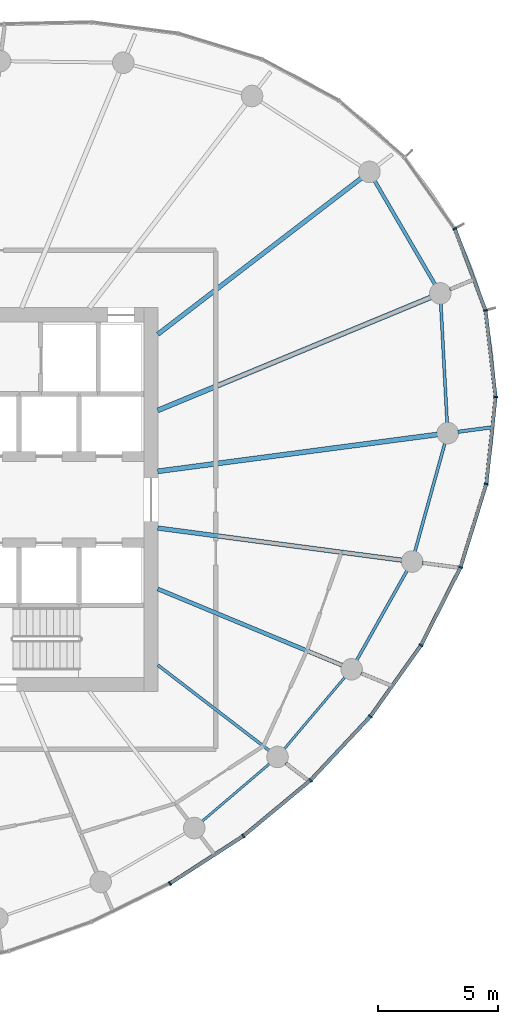
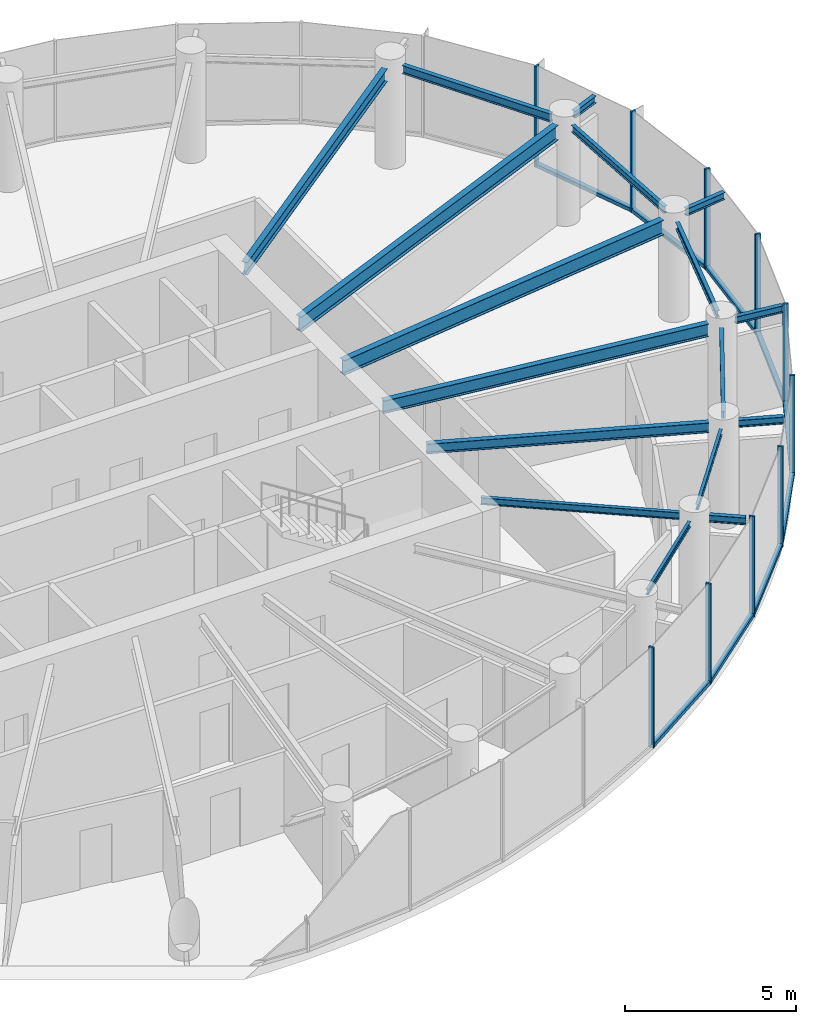
# One storey, part 5 of 13: 19 members, 17 beams, 3 elements without a shape of their own.
"""IFC4 building model written with IfcOpenShell, lengths in metres."""

import ifcopenshell
import ifcopenshell.guid

model = None  # the IFC model being written
_history = None  # IfcOwnerHistory: only IFC2X3 demands one
_inside = {}  # id of a spatial element -> (the spatial element, [elements in it])
_under = {}  # id of a project, library or spatial element -> (it, [spatial elements below it])
_declared = {}  # id of a project -> (the project, [libraries it declares])
_typed = {}  # id of a type object -> (the type object, [elements of that type])
_made_of = {}  # id of a material, layer set ... -> (it, [elements and type objects made of it])


def new_model(schema):
    """Start an empty IFC model of exactly this schema.

    Asked for "IFC4X3", IfcOpenShell would pick the latest addendum, in which some entities
    have other attributes; the version numbers below select the first issue.
    IFC2X3 requires an IfcOwnerHistory on every rooted entity: one is made here for all.
    """
    global model, _history
    if schema == "IFC4X3":
        model = ifcopenshell.file(schema_version=(4, 3, 0, 0))
    else:
        model = ifcopenshell.file(schema=schema)
    _inside.clear()
    _under.clear()
    _declared.clear()
    _typed.clear()
    _made_of.clear()
    _history = None
    if model.schema == "IFC2X3":
        org = make("IfcOrganization", Name="unknown")
        user = make(
            "IfcPersonAndOrganization",
            ThePerson=make("IfcPerson", FamilyName="unknown"),
            TheOrganization=org,
        )
        app = make(
            "IfcApplication",
            ApplicationDeveloper=org,
            Version="unknown",
            ApplicationFullName="unknown",
            ApplicationIdentifier="unknown",
        )
        _history = make(
            "IfcOwnerHistory",
            OwningUser=user,
            OwningApplication=app,
            ChangeAction="ADDED",
            CreationDate=0,
        )
    return model


def make(cls, **values):
    """One entity of the class cls with the attributes given. An attribute that is None is left unset."""
    return model.create_entity(
        cls, **{name: value for name, value in values.items() if value is not None}
    )


def rooted(cls, **values):
    """An entity with a GlobalId (a new one), such as an element, a storey or a relation."""
    return make(cls, GlobalId=ifcopenshell.guid.new(), OwnerHistory=_history, **values)


def si_unit(unit_type, name, prefix=None):
    """IfcSIUnit, for example si_unit("LENGTHUNIT", "METRE", prefix="MILLI")."""
    return make("IfcSIUnit", UnitType=unit_type, Prefix=prefix, Name=name)


def assignment(units):
    """IfcUnitAssignment: the units of a project."""
    return None if units is None else make("IfcUnitAssignment", Units=units)


def point(xyz):
    """IfcCartesianPoint."""
    return None if xyz is None else make("IfcCartesianPoint", Coordinates=xyz)


def direction(xyz):
    """IfcDirection."""
    return None if xyz is None else make("IfcDirection", DirectionRatios=xyz)


def frame(location, z_axis=None, x_axis=None):
    """IfcAxis2Placement3D, a coordinate frame: its origin and axes. An axis left out is left unset."""
    return make(
        "IfcAxis2Placement3D",
        Location=point(location),
        Axis=direction(z_axis),
        RefDirection=direction(x_axis),
    )


def frame_2d(location, x_axis=None):
    """IfcAxis2Placement2D, a coordinate frame in the plane: its origin and x axis."""
    return make(
        "IfcAxis2Placement2D", Location=point(location), RefDirection=direction(x_axis)
    )


def origin():
    """The frame at (0, 0, 0) with its axes left unset."""
    return frame((0.0, 0.0, 0.0))


def origin_2d():
    """The frame at (0, 0) in the plane with its x axis left unset."""
    return frame_2d((0.0, 0.0))


def place(relative_to, where):
    """IfcLocalPlacement: puts the frame where relative to a parent placement (None: the world)."""
    return make(
        "IfcLocalPlacement", PlacementRelTo=relative_to, RelativePlacement=where
    )


def context(
    kind, dimensions, precision=None, world=None, true_north=None, identifier=None
):
    """IfcGeometricRepresentationContext, for example the 3D "Model" context."""
    return make(
        "IfcGeometricRepresentationContext",
        ContextIdentifier=identifier,
        ContextType=kind,
        CoordinateSpaceDimension=dimensions,
        Precision=precision,
        WorldCoordinateSystem=world,
        TrueNorth=true_north,
    )


def subcontext(parent, identifier, kind, view, scale=None):
    """IfcGeometricRepresentationSubContext, for example "Body" below "Model"."""
    return make(
        "IfcGeometricRepresentationSubContext",
        ContextIdentifier=identifier,
        ContextType=kind,
        ParentContext=parent,
        TargetScale=scale,
        TargetView=view,
    )


def project(units=None, contexts=None):
    """IfcProject with its units and contexts."""
    return rooted(
        "IfcProject",
        Name="project",
        RepresentationContexts=contexts,
        UnitsInContext=assignment(units),
    )


def spatial(cls, under=None, at=None, **own):
    """A site, building, storey or space (cls), placed at a placement, below another one or the project."""
    s = rooted(cls, ObjectPlacement=at, **own)
    if under is not None:
        _under.setdefault(under.id(), (under, []))[1].append(s)
    return s


def profile(cls, at=None, kind="AREA", **sizes):
    """A parametric profile (cls). Its sizes go by their IFC names, for example OverallWidth=200.0."""
    return make(cls, ProfileType=kind, Position=at, **sizes)


def rectangle(**sizes):
    """IfcRectangleProfileDef."""
    return profile("IfcRectangleProfileDef", **sizes)


def i_section(**sizes):
    """IfcIShapeProfileDef."""
    return profile("IfcIShapeProfileDef", **sizes)


def extrude(swept, where, along, depth):
    """IfcExtrudedAreaSolid: the profile swept, set in the frame where, extruded along a direction by depth."""
    return make(
        "IfcExtrudedAreaSolid",
        SweptArea=swept,
        Position=where,
        ExtrudedDirection=direction(along),
        Depth=depth,
    )


def shape(context_of_items, identifier, shape_type, items):
    """IfcShapeRepresentation: the items that make up one representation, for example the "Body"."""
    return make(
        "IfcShapeRepresentation",
        ContextOfItems=context_of_items,
        RepresentationIdentifier=identifier,
        RepresentationType=shape_type,
        Items=items,
    )


def source(mapping_origin, context_of_items, identifier, shape_type, items):
    """IfcRepresentationMap: a shape defined once, which mapped items show again and again."""
    return make(
        "IfcRepresentationMap",
        MappingOrigin=mapping_origin,
        MappedRepresentation=shape(context_of_items, identifier, shape_type, items),
    )


def transform(
    local_origin,
    x_axis=None,
    y_axis=None,
    z_axis=None,
    scale=None,
    scale2=None,
    scale3=None,
    uniform=True,
):
    """IfcCartesianTransformationOperator3D, or its non-uniform kind. x_axis, y_axis, z_axis: its Axis1, 2, 3."""
    if uniform:
        return make(
            "IfcCartesianTransformationOperator3D",
            Axis1=direction(x_axis),
            Axis2=direction(y_axis),
            LocalOrigin=point(local_origin),
            Scale=scale,
            Axis3=direction(z_axis),
        )
    return make(
        "IfcCartesianTransformationOperator3DnonUniform",
        Axis1=direction(x_axis),
        Axis2=direction(y_axis),
        LocalOrigin=point(local_origin),
        Scale=scale,
        Axis3=direction(z_axis),
        Scale2=scale2,
        Scale3=scale3,
    )


def mapped(mapping_source, mapping_target):
    """IfcMappedItem: shows the shape of a source again, moved by a transform."""
    return make(
        "IfcMappedItem", MappingSource=mapping_source, MappingTarget=mapping_target
    )


def material(Name=None, Category=None):
    """IfcMaterial."""
    return make("IfcMaterial", Name=Name, Category=Category)


def layer(
    of_material, thickness, ventilated=None, Name=None, Category=None, Priority=None
):
    """IfcMaterialLayer: one layer of a wall or slab, of a material (None: an air gap)."""
    return make(
        "IfcMaterialLayer",
        Material=of_material,
        LayerThickness=thickness,
        IsVentilated=ventilated,
        Name=Name,
        Category=Category,
        Priority=Priority,
    )


def layer_set(layers, Name=None):
    """IfcMaterialLayerSet."""
    return make("IfcMaterialLayerSet", MaterialLayers=layers, LayerSetName=Name)


def material_profile(
    of_material, cross_section, Name=None, Category=None, Priority=None
):
    """IfcMaterialProfile: a cross section and its material."""
    return make(
        "IfcMaterialProfile",
        Name=Name,
        Material=of_material,
        Profile=cross_section,
        Priority=Priority,
        Category=Category,
    )


def profile_set(profiles, Name=None, composite=None):
    """IfcMaterialProfileSet."""
    return make(
        "IfcMaterialProfileSet",
        Name=Name,
        MaterialProfiles=profiles,
        CompositeProfile=composite,
    )


def made_of(thing, what):
    """Note that an element or type object is made of a material, layer set ...; save() writes the relation."""
    if what is not None:
        _made_of.setdefault(what.id(), (what, []))[1].append(thing)
    return thing


def type_object(cls, material=None, **own):
    """A type object (cls), such as IfcWallType, which elements share."""
    return made_of(rooted(cls, **own), material)


def element(
    cls,
    number,
    at=None,
    inside=None,
    cuts=None,
    type_object=None,
    material=None,
    context=None,
    identifier="Body",
    shape_type=None,
    held_by="IfcProductDefinitionShape",
    body=None,
    shapes=None,
    **own,
):
    """One element of the class cls, such as IfcWall. Its Tag is "e" and its number.

    at: its placement. inside: the storey or other place that contains it. cuts: it is an
    opening in that element (IfcRelVoidsElement). A single representation is given by context,
    identifier, shape_type and body (its items); several are given by shapes. held_by: the class
    of the entity that holds the representations. save() writes the other relations.
    """
    e = rooted(cls, Tag="e%d" % number, ObjectPlacement=at, **own)
    if body is not None:
        shapes = [shape(context, identifier, shape_type, body)]
    if shapes is not None:
        e.Representation = make(held_by, Representations=shapes)
    if inside is not None:
        _inside.setdefault(inside.id(), (inside, []))[1].append(e)
    if cuts is not None:
        rooted(
            "IfcRelVoidsElement", RelatingBuildingElement=cuts, RelatedOpeningElement=e
        )
    if type_object is not None:
        _typed.setdefault(type_object.id(), (type_object, []))[1].append(e)
    return made_of(e, material)


def aggregate(whole, parts):
    """IfcRelAggregates: a whole, such as a stair, and the parts it consists of."""
    return rooted("IfcRelAggregates", RelatingObject=whole, RelatedObjects=parts)


def save(model, path):
    """Write the relations noted so far, then the file.

    IfcRelAggregates (storeys below a building ...), IfcRelContainedInSpatialStructure (elements
    in a storey), IfcRelDefinesByType, IfcRelAssociatesMaterial and IfcRelDeclares: one each for
    every whole, place, type object, material and project.
    """
    for whole, parts in _under.values():
        aggregate(whole, parts)
    for where, things in _inside.values():
        rooted(
            "IfcRelContainedInSpatialStructure",
            RelatedElements=things,
            RelatingStructure=where,
        )
    for kind, things in _typed.values():
        rooted("IfcRelDefinesByType", RelatedObjects=things, RelatingType=kind)
    for what, things in _made_of.values():
        rooted("IfcRelAssociatesMaterial", RelatedObjects=things, RelatingMaterial=what)
    for by, libraries in _declared.values():
        rooted("IfcRelDeclares", RelatingContext=by, RelatedDefinitions=libraries)
    model.write(path)


model = new_model("IFC4")

# Units and contexts
model_context = context("Model", 3, precision=1e-05, world=origin(), true_north=direction((0.0, 1.0)))
body_context = subcontext(model_context, "Body", "Model", "MODEL_VIEW")
ifc_project = project(units=[si_unit("LENGTHUNIT", "METRE"), si_unit("AREAUNIT", "SQUARE_METRE"), si_unit("VOLUMEUNIT", "CUBIC_METRE"), si_unit("PLANEANGLEUNIT", "RADIAN"), si_unit("MASSUNIT", "GRAM", prefix="KILO")], contexts=[model_context])

# Site, building, storey
site_placement = place(None, origin())
site = spatial("IfcSite", under=ifc_project, at=site_placement, CompositionType="ELEMENT")
building_placement = place(site_placement, origin())
building = spatial("IfcBuilding", under=site, at=building_placement, Name="Spindrift Exchange Tower", CompositionType="ELEMENT")
storey_placement = place(building_placement, frame((0.0, 0.0, 222.800048828125)))
storey = spatial("IfcBuildingStorey", under=building, at=storey_placement, Name="L54", CompositionType="ELEMENT", Elevation=222.800048828125)

# Beams
ifc_material_1 = material(Name="Steel Grade 300", Category="steel")
ifc_material_profile_1 = material_profile(ifc_material_1, i_section(OverallWidth=0.14599609375, OverallDepth=0.251953125, WebThickness=0.006103515625, FlangeThickness=0.008544921875, FilletRadius=0.011962890625, at=origin_2d()), Name="250UB31.4")
ifc_profile_set_1 = profile_set([ifc_material_profile_1], Name="Steel Grade 300")
beam_type_1 = type_object("IfcBeamType", Name="Cantilever Beam 250UB31.4 Steel Grade 300", PredefinedType="BEAM", material=ifc_profile_set_1)
shared_shape_1 = source(origin(), body_context, "Body", "SweptSolid", [
    extrude(i_section(OverallWidth=0.14599609375, OverallDepth=0.251953125, WebThickness=0.006103515625, FlangeThickness=0.008544921875, FilletRadius=0.011962890625, at=origin_2d()), origin(), (0.0, 0.0, 1.0), 0.99267578125),
])
beam_1_placement = place(storey_placement, frame((73.150390625, 56.7607421875, 3.453857421875), z_axis=(0.923860933472, 0.382728331332, 0.0), x_axis=(-0.382728331332, 0.923860933472, 0.0)))
element("IfcBeam", 1, at=beam_1_placement, inside=storey, type_object=beam_type_1, Name="L54 cantilever beam R02T", PredefinedType="BEAM", context=body_context, shape_type="MappedRepresentation", body=[
    mapped(shared_shape_1, transform((0.0, 0.0, 0.0), scale=1.0)),
])
ifc_material_profile_2 = material_profile(ifc_material_1, i_section(OverallWidth=0.208984375, OverallDepth=0.528076171875, WebThickness=0.009521484375, FlangeThickness=0.01318359375, FilletRadius=0.013916015625, at=origin_2d()), Name="530UB82.0")
ifc_profile_set_2 = profile_set([ifc_material_profile_2], Name="Steel Grade 300")
beam_type_2 = type_object("IfcBeamType", Name="Floor Beam 530UB82.0 Steel Grade 300", PredefinedType="BEAM", material=ifc_profile_set_2)
shared_shape_2 = source(origin(), body_context, "Body", "SweptSolid", [
    extrude(i_section(OverallWidth=0.208984375, OverallDepth=0.528076171875, WebThickness=0.009521484375, FlangeThickness=0.01318359375, FilletRadius=0.013916015625, at=origin_2d()), origin(), (0.0, 0.0, 1.0), 11.75634765625),
])
beam_2_placement = place(storey_placement, frame((60.980224609375, 49.182373046875, 3.31591796875), z_axis=(0.991445811455, 0.13051897543, 0.0), x_axis=(-0.13051897543, 0.991445811455, 0.0)))
element("IfcBeam", 2, at=beam_2_placement, inside=storey, type_object=beam_type_2, Name="L54 radial beam R01A", PredefinedType="BEAM", context=body_context, shape_type="MappedRepresentation", body=[
    mapped(shared_shape_2, transform((0.0, 0.0, 0.0), scale=1.0)),
])
shared_shape_3 = source(origin(), body_context, "Body", "SweptSolid", [
    extrude(i_section(OverallWidth=0.208984375, OverallDepth=0.528076171875, WebThickness=0.009521484375, FlangeThickness=0.01318359375, FilletRadius=0.013916015625, at=origin_2d()), origin(), (0.0, 0.0, 1.0), 12.3115234375),
])
beam_3_placement = place(storey_placement, frame((60.9814453125, 51.72021484375, 3.31591796875), z_axis=(0.923878099838, 0.382686891126, 0.0), x_axis=(-0.382686891126, 0.923878099838, 0.0)))
element("IfcBeam", 3, at=beam_3_placement, inside=storey, type_object=beam_type_2, Name="L54 radial beam R02A", PredefinedType="BEAM", context=body_context, shape_type="MappedRepresentation", body=[
    mapped(shared_shape_3, transform((0.0, 0.0, 0.0), scale=1.0)),
])
ifc_material_profile_3 = material_profile(ifc_material_1, i_section(OverallWidth=0.18994140625, OverallDepth=0.4541015625, WebThickness=0.008544921875, FlangeThickness=0.0126953125, FilletRadius=0.013916015625, at=origin_2d()), Name="460UB67.1")
ifc_profile_set_3 = profile_set([ifc_material_profile_3], Name="Steel Grade 300")
beam_type_3 = type_object("IfcBeamType", Name="Floor Beam 460UB67.1 Steel Grade 300", PredefinedType="BEAM", material=ifc_profile_set_3)
shared_shape_4 = source(origin(), body_context, "Body", "SweptSolid", [
    extrude(i_section(OverallWidth=0.18994140625, OverallDepth=0.4541015625, WebThickness=0.008544921875, FlangeThickness=0.0126953125, FilletRadius=0.013916015625, at=origin_2d()), origin(), (0.0, 0.0, 1.0), 10.684814453125),
])
beam_4_placement = place(storey_placement, frame((60.984130859375, 54.893798828125, 3.35302734375), z_axis=(0.793357316898, 0.608756246559, 0.0), x_axis=(-0.608756246559, 0.793357316898, 0.0)))
element("IfcBeam", 4, at=beam_4_placement, inside=storey, type_object=beam_type_3, Name="L54 radial beam R03A", PredefinedType="BEAM", context=body_context, shape_type="MappedRepresentation", body=[
    mapped(shared_shape_4, transform((0.0, 0.0, 0.0), scale=1.0)),
])
ifc_material_profile_4 = material_profile(ifc_material_1, i_section(OverallWidth=0.1240234375, OverallDepth=0.248046875, WebThickness=0.0048828125, FlangeThickness=0.008056640625, FilletRadius=0.011962890625, at=origin_2d()), Name="250UB25.7")
ifc_profile_set_4 = profile_set([ifc_material_profile_4], Name="Steel Grade 300")
beam_type_4 = type_object("IfcBeamType", Name="Floor Beam 250UB25.7 Steel Grade 300", PredefinedType="BEAM", material=ifc_profile_set_4)
shared_shape_5 = source(origin(), body_context, "Body", "SweptSolid", [
    extrude(i_section(OverallWidth=0.1240234375, OverallDepth=0.248046875, WebThickness=0.0048828125, FlangeThickness=0.008056640625, FilletRadius=0.011962890625, at=origin_2d()), origin(), (0.0, 0.0, 1.0), 5.855712890625),
])
beam_5_placement = place(storey_placement, frame((60.984130859375, 41.106201171875, 3.4560546875), z_axis=(0.793362708479, -0.608749219954, 0.0), x_axis=(0.608749219954, 0.793362708479, 0.0)))
element("IfcBeam", 5, at=beam_5_placement, inside=storey, type_object=beam_type_4, Name="L54 radial beam R22A", PredefinedType="BEAM", context=body_context, shape_type="MappedRepresentation", body=[
    mapped(shared_shape_5, transform((0.0, 0.0, 0.0), scale=1.0)),
])
ifc_material_profile_5 = material_profile(ifc_material_1, i_section(OverallWidth=0.1708984375, OverallDepth=0.35205078125, WebThickness=0.0068359375, FlangeThickness=0.009765625, FilletRadius=0.013916015625, at=origin_2d()), Name="360UB44.7")
ifc_profile_set_5 = profile_set([ifc_material_profile_5], Name="Steel Grade 300")
beam_type_5 = type_object("IfcBeamType", Name="Floor Beam 360UB44.7 Steel Grade 300", PredefinedType="BEAM", material=ifc_profile_set_5)
shared_shape_6 = source(origin(), body_context, "Body", "SweptSolid", [
    extrude(i_section(OverallWidth=0.1708984375, OverallDepth=0.35205078125, WebThickness=0.0068359375, FlangeThickness=0.009765625, FilletRadius=0.013916015625, at=origin_2d()), origin(), (0.0, 0.0, 1.0), 8.3134765625),
])
beam_6_placement = place(storey_placement, frame((60.9814453125, 44.27978515625, 3.404052734375), z_axis=(0.923881179957, -0.382679455055, 0.0), x_axis=(0.382679455055, 0.923881179957, 0.0)))
element("IfcBeam", 6, at=beam_6_placement, inside=storey, type_object=beam_type_5, Name="L54 radial beam R23A", PredefinedType="BEAM", context=body_context, shape_type="MappedRepresentation", body=[
    mapped(shared_shape_6, transform((0.0, 0.0, 0.0), scale=1.0)),
])
shared_shape_7 = source(origin(), body_context, "Body", "SweptSolid", [
    extrude(i_section(OverallWidth=0.18994140625, OverallDepth=0.4541015625, WebThickness=0.008544921875, FlangeThickness=0.0126953125, FilletRadius=0.013916015625, at=origin_2d()), origin(), (0.0, 0.0, 1.0), 10.262451171875),
])
beam_7_placement = place(storey_placement, frame((60.980224609375, 46.817626953125, 3.35302734375), z_axis=(0.991446763371, -0.130511744304, 0.0), x_axis=(0.130511744304, 0.991446763371, 0.0)))
element("IfcBeam", 7, at=beam_7_placement, inside=storey, type_object=beam_type_3, Name="L54 radial beam R24A", PredefinedType="BEAM", context=body_context, shape_type="MappedRepresentation", body=[
    mapped(shared_shape_7, transform((0.0, 0.0, 0.0), scale=1.0)),
])
ifc_material_profile_6 = material_profile(ifc_material_1, i_section(OverallWidth=0.1240234375, OverallDepth=0.248046875, WebThickness=0.0048828125, FlangeThickness=0.008056640625, FilletRadius=0.011962890625, at=origin_2d()), Name="250UB25.7")
ifc_profile_set_6 = profile_set([ifc_material_profile_6], Name="Steel Grade 300")
beam_type_6 = type_object("IfcBeamType", Name="Edge Beam 250UB25.7 Steel Grade 300", PredefinedType="SPANDREL", material=ifc_profile_set_6)
shared_shape_8 = source(origin(), body_context, "Body", "SweptSolid", [
    extrude(i_section(OverallWidth=0.1240234375, OverallDepth=0.248046875, WebThickness=0.0048828125, FlangeThickness=0.008056640625, FilletRadius=0.011962890625, at=origin_2d()), origin(), (0.0, 0.0, 1.0), 4.971435546875),
])
beam_8_placement = place(storey_placement, frame((73.03955078125, 51.202392578125, 3.4560546875), z_axis=(-0.053038255124, 0.998592481192, 0.0), x_axis=(-0.998592481192, -0.053038255124, 0.0)))
element("IfcBeam", 8, at=beam_8_placement, inside=storey, type_object=beam_type_6, Name="L54 edge beam E01", PredefinedType="SPANDREL", context=body_context, shape_type="MappedRepresentation", body=[
    mapped(shared_shape_8, transform((0.0, 0.0, 0.0), scale=1.0)),
])
ifc_material_profile_7 = material_profile(ifc_material_1, i_section(OverallWidth=0.14892578125, OverallDepth=0.298095703125, WebThickness=0.005615234375, FlangeThickness=0.008056640625, FilletRadius=0.012939453125, at=origin_2d()), Name="310UB32.0")
ifc_profile_set_7 = profile_set([ifc_material_profile_7], Name="Steel Grade 300")
beam_type_7 = type_object("IfcBeamType", Name="Edge Beam 310UB32.0 Steel Grade 300", PredefinedType="SPANDREL", material=ifc_profile_set_7)
shared_shape_9 = source(origin(), body_context, "Body", "SweptSolid", [
    extrude(i_section(OverallWidth=0.14892578125, OverallDepth=0.298095703125, WebThickness=0.005615234375, FlangeThickness=0.008056640625, FilletRadius=0.012939453125, at=origin_2d()), origin(), (0.0, 0.0, 1.0), 5.0009765625),
])
beam_9_placement = place(storey_placement, frame((72.53662109375, 56.9677734375, 3.430908203125), z_axis=(-0.503512812094, 0.863987759205, 0.0), x_axis=(-0.863987759205, -0.503512812094, 0.0)))
element("IfcBeam", 9, at=beam_9_placement, inside=storey, type_object=beam_type_7, Name="L54 edge beam E02", PredefinedType="SPANDREL", context=body_context, shape_type="MappedRepresentation", body=[
    mapped(shared_shape_9, transform((0.0, 0.0, 0.0), scale=1.0)),
])
ifc_material_profile_8 = material_profile(ifc_material_1, i_section(OverallWidth=0.09912109375, OverallDepth=0.197998046875, WebThickness=0.00439453125, FlangeThickness=0.007080078125, FilletRadius=0.010986328125, at=origin_2d()), Name="200UB18.2")
ifc_profile_set_8 = profile_set([ifc_material_profile_8], Name="Steel Grade 300")
beam_type_8 = type_object("IfcBeamType", Name="Edge Beam 200UB18.2 Steel Grade 300", PredefinedType="SPANDREL", material=ifc_profile_set_8)
shared_shape_10 = source(origin(), body_context, "Body", "SweptSolid", [
    extrude(i_section(OverallWidth=0.09912109375, OverallDepth=0.197998046875, WebThickness=0.00439453125, FlangeThickness=0.007080078125, FilletRadius=0.010986328125, at=origin_2d()), origin(), (0.0, 0.0, 1.0), 3.703857421875),
])
beam_10_placement = place(storey_placement, frame((62.826416015625, 34.59619140625, 3.48095703125), z_axis=(0.7606692863, 0.64913961278, 0.0), x_axis=(-0.64913961278, 0.7606692863, 0.0)))
element("IfcBeam", 10, at=beam_10_placement, inside=storey, type_object=beam_type_8, Name="L54 edge beam E21", PredefinedType="SPANDREL", context=body_context, shape_type="MappedRepresentation", body=[
    mapped(shared_shape_10, transform((0.0, 0.0, 0.0), scale=1.0)),
])
shared_shape_11 = source(origin(), body_context, "Body", "SweptSolid", [
    extrude(i_section(OverallWidth=0.09912109375, OverallDepth=0.197998046875, WebThickness=0.00439453125, FlangeThickness=0.007080078125, FilletRadius=0.010986328125, at=origin_2d()), origin(), (0.0, 0.0, 1.0), 3.92431640625),
])
beam_11_placement = place(storey_placement, frame((66.24853515625, 37.608154296875, 3.48095703125), z_axis=(0.645498720032, 0.763761351757, 0.0), x_axis=(-0.763761351757, 0.645498720032, 0.0)))
element("IfcBeam", 11, at=beam_11_placement, inside=storey, type_object=beam_type_8, Name="L54 edge beam E22", PredefinedType="SPANDREL", context=body_context, shape_type="MappedRepresentation", body=[
    mapped(shared_shape_11, transform((0.0, 0.0, 0.0), scale=1.0)),
])
shared_shape_12 = source(origin(), body_context, "Body", "SweptSolid", [
    extrude(i_section(OverallWidth=0.1240234375, OverallDepth=0.248046875, WebThickness=0.0048828125, FlangeThickness=0.008056640625, FilletRadius=0.011962890625, at=origin_2d()), origin(), (0.0, 0.0, 1.0), 4.2880859375),
])
beam_12_placement = place(storey_placement, frame((69.27001953125, 41.30859375, 3.4560546875), z_axis=(0.489804347673, 0.871832381253, 0.0), x_axis=(-0.871832381253, 0.489804347673, 0.0)))
element("IfcBeam", 12, at=beam_12_placement, inside=storey, type_object=beam_type_6, Name="L54 edge beam E23", PredefinedType="SPANDREL", context=body_context, shape_type="MappedRepresentation", body=[
    mapped(shared_shape_12, transform((0.0, 0.0, 0.0), scale=1.0)),
])
shared_shape_13 = source(origin(), body_context, "Body", "SweptSolid", [
    extrude(i_section(OverallWidth=0.1240234375, OverallDepth=0.248046875, WebThickness=0.0048828125, FlangeThickness=0.008056640625, FilletRadius=0.011962890625, at=origin_2d()), origin(), (0.0, 0.0, 1.0), 4.69189453125),
])
beam_13_placement = place(storey_placement, frame((71.69580078125, 45.83642578125, 3.4560546875), z_axis=(0.266774248618, 0.963759046792, 0.0), x_axis=(-0.963759046792, 0.266774248618, 0.0)))
element("IfcBeam", 13, at=beam_13_placement, inside=storey, type_object=beam_type_6, Name="L54 edge beam E24", PredefinedType="SPANDREL", context=body_context, shape_type="MappedRepresentation", body=[
    mapped(shared_shape_13, transform((0.0, 0.0, 0.0), scale=1.0)),
])
shared_shape_14 = source(origin(), body_context, "Body", "SweptSolid", [
    extrude(i_section(OverallWidth=0.14599609375, OverallDepth=0.251953125, WebThickness=0.006103515625, FlangeThickness=0.008544921875, FilletRadius=0.011962890625, at=origin_2d()), origin(), (0.0, 0.0, 1.0), 1.40380859375),
])
beam_14_placement = place(storey_placement, frame((73.488525390625, 50.8291015625, 3.453857421875), z_axis=(0.991457254943, 0.130432019156, 0.0), x_axis=(-0.130432019156, 0.991457254943, 0.0)))
element("IfcBeam", 14, at=beam_14_placement, inside=storey, type_object=beam_type_1, Name="L54 cantilever beam R01T", PredefinedType="BEAM", context=body_context, shape_type="MappedRepresentation", body=[
    mapped(shared_shape_14, transform((0.0, 0.0, 0.0), scale=1.0)),
])
shared_shape_15 = source(origin(), body_context, "Body", "SweptSolid", [
    extrude(i_section(OverallWidth=0.14599609375, OverallDepth=0.251953125, WebThickness=0.006103515625, FlangeThickness=0.008544921875, FilletRadius=0.011962890625, at=origin_2d()), origin(), (0.0, 0.0, 1.0), 1.079833984375),
])
beam_15_placement = place(storey_placement, frame((66.31201171875, 37.017822265625, 3.453857421875), z_axis=(0.793413441208, -0.608683095962, 0.0), x_axis=(0.608683095962, 0.793413441208, 0.0)))
element("IfcBeam", 15, at=beam_15_placement, inside=storey, type_object=beam_type_1, Name="L54 cantilever beam R22T", PredefinedType="BEAM", context=body_context, shape_type="MappedRepresentation", body=[
    mapped(shared_shape_15, transform((0.0, 0.0, 0.0), scale=1.0)),
])
shared_shape_16 = source(origin(), body_context, "Body", "SweptSolid", [
    extrude(i_section(OverallWidth=0.14599609375, OverallDepth=0.251953125, WebThickness=0.006103515625, FlangeThickness=0.008544921875, FilletRadius=0.011962890625, at=origin_2d()), origin(), (0.0, 0.0, 1.0), 1.33056640625),
])
beam_16_placement = place(storey_placement, frame((69.456787109375, 40.769287109375, 3.453857421875), z_axis=(0.92385132925, -0.382751513965, 0.0), x_axis=(0.382751513965, 0.92385132925, 0.0)))
element("IfcBeam", 16, at=beam_16_placement, inside=storey, type_object=beam_type_1, Name="L54 cantilever beam R23T", PredefinedType="BEAM", context=body_context, shape_type="MappedRepresentation", body=[
    mapped(shared_shape_16, transform((0.0, 0.0, 0.0), scale=1.0)),
])
shared_shape_17 = source(origin(), body_context, "Body", "SweptSolid", [
    extrude(i_section(OverallWidth=0.14599609375, OverallDepth=0.251953125, WebThickness=0.006103515625, FlangeThickness=0.008544921875, FilletRadius=0.011962890625, at=origin_2d()), origin(), (0.0, 0.0, 1.0), 1.484375),
])
beam_17_placement = place(storey_placement, frame((72.00732421875, 45.365966796875, 3.453857421875), z_axis=(0.991436372309, -0.13059065687, 0.0), x_axis=(0.13059065687, 0.991436372309, 0.0)))
element("IfcBeam", 17, at=beam_17_placement, inside=storey, type_object=beam_type_1, Name="L54 cantilever beam R24T", PredefinedType="BEAM", context=body_context, shape_type="MappedRepresentation", body=[
    mapped(shared_shape_17, transform((0.0, 0.0, 0.0), scale=1.0)),
])

# Curtain wall, member
ifc_material_2 = material(Name="Fritted laminated glass with bronze frame", Category="glass")
ifc_layer = layer(ifc_material_2, 0.169921875)
ifc_layer_set = layer_set([ifc_layer], Name="ZONE 4 BRONZE FRITTED WALL")
curtain_wall_type = type_object("IfcCurtainWallType", Name="ZONE 4 BRONZE FRITTED WALL", PredefinedType="NOTDEFINED", material=ifc_layer_set)
curtain_wall_1_placement = place(storey_placement, origin())
curtain_wall_1 = element("IfcCurtainWall", 18, at=curtain_wall_1_placement, inside=storey, type_object=curtain_wall_type, Name="L54 Zone 4 Bronze Fritted Wall run 1", PredefinedType="NOTDEFINED")
ifc_material_3 = material(Name="Bronze anodised aluminium", Category="aluminium")
ifc_material_profile_9 = material_profile(ifc_material_3, rectangle(XDim=0.06494140625, YDim=0.169921875, at=origin_2d()), Name="ZONE 4 BRONZE FRITTED WALL MULLION 65X170")
ifc_profile_set_9 = profile_set([ifc_material_profile_9], Name="Bronze anodised aluminium")
member_type_1 = type_object("IfcMemberType", Name="ZONE 4 BRONZE FRITTED WALL MULLION 65X170", PredefinedType="MULLION", material=ifc_profile_set_9)
shared_shape_18 = source(origin(), body_context, "Body", "SweptSolid", [
    extrude(rectangle(XDim=0.06494140625, YDim=0.169921875, at=origin_2d()), origin(), (0.0, 0.0, 1.0), 3.579833984375),
])
member_1_placement = place(storey_placement, frame((73.359619140625, 59.291748046875, 0.0), z_axis=(0.0, 0.0, 1.0), x_axis=(-0.467367363431, 0.884063203397, 0.0)))
member_1 = element("IfcMember", 19, at=member_1_placement, type_object=member_type_1, Name="L54 mullion CW-4.1", PredefinedType="MULLION", context=body_context, shape_type="MappedRepresentation", body=[
    mapped(shared_shape_18, transform((0.0, 0.0, 0.0), scale=1.0)),
])
aggregate(curtain_wall_1, [member_1])

# Curtain wall, members
curtain_wall_2_placement = place(storey_placement, origin())
curtain_wall_2 = element("IfcCurtainWall", 20, at=curtain_wall_2_placement, inside=storey, type_object=curtain_wall_type, Name="L54 Zone 4 Bronze Fritted Wall run 5", PredefinedType="NOTDEFINED")
member_2_placement = place(storey_placement, frame((61.485107421875, 32.007080078125, 0.0), z_axis=(0.0, 0.0, 1.0), x_axis=(0.870065969792, 0.492935298198, 0.0)))
member_2 = element("IfcMember", 21, at=member_2_placement, type_object=member_type_1, Name="L54 mullion CW-4.29", PredefinedType="MULLION", context=body_context, shape_type="MappedRepresentation", body=[
    mapped(shared_shape_18, transform((0.0, 0.0, 0.0), scale=1.0)),
])
member_3_placement = place(storey_placement, frame((64.544921875, 33.984130859375, 0.0), z_axis=(0.0, 0.0, 1.0), x_axis=(0.806187472315, 0.591660172297, 0.0)))
member_3 = element("IfcMember", 22, at=member_3_placement, type_object=member_type_1, Name="L54 mullion CW-4.30", PredefinedType="MULLION", context=body_context, shape_type="MappedRepresentation", body=[
    mapped(shared_shape_18, transform((0.0, 0.0, 0.0), scale=1.0)),
])

curtain_wall_3_placement = place(storey_placement, origin())
curtain_wall_3 = element("IfcCurtainWall", 23, at=curtain_wall_3_placement, inside=storey, type_object=curtain_wall_type, Name="L54 Zone 4 Bronze Fritted Wall run 6", PredefinedType="NOTDEFINED")
member_4_placement = place(storey_placement, frame((67.348388671875, 36.31005859375, 0.0), z_axis=(0.0, 0.0, 1.0), x_axis=(0.728282539892, 0.685276982021, 0.0)))
member_4 = element("IfcMember", 24, at=member_4_placement, type_object=member_type_1, Name="L54 mullion CW-4.31", PredefinedType="MULLION", context=body_context, shape_type="MappedRepresentation", body=[
    mapped(shared_shape_18, transform((0.0, 0.0, 0.0), scale=1.0)),
])
member_5_placement = place(storey_placement, frame((69.840087890625, 38.966796875, 0.0), z_axis=(0.0, 0.0, 1.0), x_axis=(0.633424404208, 0.773804577496, 0.0)))
member_5 = element("IfcMember", 25, at=member_5_placement, type_object=member_type_1, Name="L54 mullion CW-4.32", PredefinedType="MULLION", context=body_context, shape_type="MappedRepresentation", body=[
    mapped(shared_shape_18, transform((0.0, 0.0, 0.0), scale=1.0)),
])
member_6_placement = place(storey_placement, frame((71.951904296875, 41.933837890625, 0.0), z_axis=(0.0, 0.0, 1.0), x_axis=(0.517449638831, 0.855713661965, 0.0)))
member_6 = element("IfcMember", 26, at=member_6_placement, type_object=member_type_1, Name="L54 mullion CW-4.33", PredefinedType="MULLION", context=body_context, shape_type="MappedRepresentation", body=[
    mapped(shared_shape_18, transform((0.0, 0.0, 0.0), scale=1.0)),
])
member_7_placement = place(storey_placement, frame((73.59814453125, 45.181396484375, 0.0), z_axis=(0.0, 0.0, 1.0), x_axis=(0.375154092284, 0.926962462585, 0.0)))
member_7 = element("IfcMember", 27, at=member_7_placement, type_object=member_type_1, Name="L54 mullion CW-4.34", PredefinedType="MULLION", context=body_context, shape_type="MappedRepresentation", body=[
    mapped(shared_shape_18, transform((0.0, 0.0, 0.0), scale=1.0)),
])
member_8_placement = place(storey_placement, frame((74.673583984375, 48.65869140625, 0.0), z_axis=(0.0, 0.0, 1.0), x_axis=(0.201497624622, 0.97948900314, 0.0)))
member_8 = element("IfcMember", 28, at=member_8_placement, type_object=member_type_1, Name="L54 mullion CW-4.35", PredefinedType="MULLION", context=body_context, shape_type="MappedRepresentation", body=[
    mapped(shared_shape_18, transform((0.0, 0.0, 0.0), scale=1.0)),
])
member_9_placement = place(storey_placement, frame((75.05810546875, 52.27685546875, 0.0), z_axis=(0.0, 0.0, 1.0), x_axis=(-0.004840850601, 0.999988283014, 0.0)))
member_9 = element("IfcMember", 29, at=member_9_placement, type_object=member_type_1, Name="L54 mullion CW-4.36", PredefinedType="MULLION", context=body_context, shape_type="MappedRepresentation", body=[
    mapped(shared_shape_18, transform((0.0, 0.0, 0.0), scale=1.0)),
])
member_10_placement = place(storey_placement, frame((74.638916015625, 55.88916015625, 0.0), z_axis=(0.0, 0.0, 1.0), x_axis=(-0.235349700397, 0.97191075646, 0.0)))
member_10 = element("IfcMember", 30, at=member_10_placement, type_object=member_type_1, Name="L54 mullion CW-4.37", PredefinedType="MULLION", context=body_context, shape_type="MappedRepresentation", body=[
    mapped(shared_shape_18, transform((0.0, 0.0, 0.0), scale=1.0)),
])

# Member
ifc_material_profile_10 = material_profile(ifc_material_3, rectangle(XDim=0.14990234375, YDim=0.125, at=origin_2d()), Name="ZONE 4 BRONZE FRITTED WALL TRANSOM 150X125")
ifc_profile_set_10 = profile_set([ifc_material_profile_10], Name="Bronze anodised aluminium")
member_type_2 = type_object("IfcMemberType", Name="ZONE 4 BRONZE FRITTED WALL TRANSOM 150X125", PredefinedType="USERDEFINED", material=ifc_profile_set_10)
shared_shape_19 = source(origin(), body_context, "Body", "SweptSolid", [
    extrude(rectangle(XDim=0.14990234375, YDim=0.125, at=origin_2d()), origin(), (0.0, 0.0, 1.0), 3.57763671875),
])
member_11_placement = place(storey_placement, frame((64.56982421875, 34.0048828125, 0.0625), z_axis=(0.76960664257, 0.638518297085, 0.0), x_axis=(-0.638518297085, 0.76960664257, 0.0)))
member_11 = element("IfcMember", 31, at=member_11_placement, type_object=member_type_2, Name="L54 transom CW-4.30", ObjectType="TRANSOM", PredefinedType="USERDEFINED", context=body_context, shape_type="MappedRepresentation", body=[
    mapped(shared_shape_19, transform((0.0, 0.0, 0.0), scale=1.0)),
])

shared_shape_20 = source(origin(), body_context, "Body", "SweptSolid", [
    extrude(rectangle(XDim=0.14990234375, YDim=0.125, at=origin_2d()), origin(), (0.0, 0.0, 1.0), 3.577880859375),
])
member_12_placement = place(storey_placement, frame((61.512451171875, 32.024658203125, 0.0625), z_axis=(0.839901355508, 0.542739083737, 0.0), x_axis=(-0.542739083737, 0.839901355508, 0.0)))
member_12 = element("IfcMember", 32, at=member_12_placement, type_object=member_type_2, Name="L54 transom CW-4.29", ObjectType="TRANSOM", PredefinedType="USERDEFINED", context=body_context, shape_type="MappedRepresentation", body=[
    mapped(shared_shape_20, transform((0.0, 0.0, 0.0), scale=1.0)),
])

aggregate(curtain_wall_2, [member_2, member_12, member_3, member_11])

shared_shape_21 = source(origin(), body_context, "Body", "SweptSolid", [
    extrude(rectangle(XDim=0.14990234375, YDim=0.125, at=origin_2d()), origin(), (0.0, 0.0, 1.0), 3.577392578125),
])
member_13_placement = place(storey_placement, frame((67.37060546875, 36.333740234375, 0.0625), z_axis=(0.684086401658, 0.729400983731, 0.0), x_axis=(-0.729400983731, 0.684086401658, 0.0)))
member_13 = element("IfcMember", 33, at=member_13_placement, type_object=member_type_2, Name="L54 transom CW-4.31", ObjectType="TRANSOM", PredefinedType="USERDEFINED", context=body_context, shape_type="MappedRepresentation", body=[
    mapped(shared_shape_21, transform((0.0, 0.0, 0.0), scale=1.0)),
])

shared_shape_22 = source(origin(), body_context, "Body", "SweptSolid", [
    extrude(rectangle(XDim=0.14990234375, YDim=0.125, at=origin_2d()), origin(), (0.0, 0.0, 1.0), 3.576904296875),
])
member_14_placement = place(storey_placement, frame((69.85888671875, 38.9931640625, 0.0625), z_axis=(0.579894439003, 0.814691622403, 0.0), x_axis=(-0.814691622403, 0.579894439003, 0.0)))
member_14 = element("IfcMember", 34, at=member_14_placement, type_object=member_type_2, Name="L54 transom CW-4.32", ObjectType="TRANSOM", PredefinedType="USERDEFINED", context=body_context, shape_type="MappedRepresentation", body=[
    mapped(shared_shape_22, transform((0.0, 0.0, 0.0), scale=1.0)),
])

shared_shape_23 = source(origin(), body_context, "Body", "SweptSolid", [
    extrude(rectangle(XDim=0.14990234375, YDim=0.125, at=origin_2d()), origin(), (0.0, 0.0, 1.0), 3.5703125),
])
member_15_placement = place(storey_placement, frame((74.62744140625, 55.91943359375, 0.0625), z_axis=(-0.351962620427, 0.936014056423, 0.0), x_axis=(-0.936014056423, -0.351962620427, 0.0)))
member_15 = element("IfcMember", 35, at=member_15_placement, type_object=member_type_2, Name="L54 transom CW-4.37", ObjectType="TRANSOM", PredefinedType="USERDEFINED", context=body_context, shape_type="MappedRepresentation", body=[
    mapped(shared_shape_23, transform((0.0, 0.0, 0.0), scale=1.0)),
])

shared_shape_24 = source(origin(), body_context, "Body", "SweptSolid", [
    extrude(rectangle(XDim=0.14990234375, YDim=0.125, at=origin_2d()), origin(), (0.0, 0.0, 1.0), 3.571533203125),
])
member_16_placement = place(storey_placement, frame((75.05419921875, 52.30908203125, 0.0625), z_axis=(-0.115246765866, 0.993336892981, 0.0), x_axis=(-0.993336892981, -0.115246765866, 0.0)))
member_16 = element("IfcMember", 36, at=member_16_placement, type_object=member_type_2, Name="L54 transom CW-4.36", ObjectType="TRANSOM", PredefinedType="USERDEFINED", context=body_context, shape_type="MappedRepresentation", body=[
    mapped(shared_shape_24, transform((0.0, 0.0, 0.0), scale=1.0)),
])

shared_shape_25 = source(origin(), body_context, "Body", "SweptSolid", [
    extrude(rectangle(XDim=0.14990234375, YDim=0.125, at=origin_2d()), origin(), (0.0, 0.0, 1.0), 3.5732421875),
])
member_17_placement = place(storey_placement, frame((74.67724609375, 48.691162109375, 0.0625), z_axis=(0.105630807613, 0.99440541656, 0.0), x_axis=(-0.99440541656, 0.105630807613, 0.0)))
member_17 = element("IfcMember", 37, at=member_17_placement, type_object=member_type_2, Name="L54 transom CW-4.35", ObjectType="TRANSOM", PredefinedType="USERDEFINED", context=body_context, shape_type="MappedRepresentation", body=[
    mapped(shared_shape_25, transform((0.0, 0.0, 0.0), scale=1.0)),
])

shared_shape_26 = source(origin(), body_context, "Body", "SweptSolid", [
    extrude(rectangle(XDim=0.14990234375, YDim=0.125, at=origin_2d()), origin(), (0.0, 0.0, 1.0), 3.574951171875),
])
member_18_placement = place(storey_placement, frame((73.60791015625, 45.21240234375, 0.0625), z_axis=(0.29543887828, 0.955361643149, 0.0), x_axis=(-0.955361643149, 0.29543887828, 0.0)))
member_18 = element("IfcMember", 38, at=member_18_placement, type_object=member_type_2, Name="L54 transom CW-4.34", ObjectType="TRANSOM", PredefinedType="USERDEFINED", context=body_context, shape_type="MappedRepresentation", body=[
    mapped(shared_shape_26, transform((0.0, 0.0, 0.0), scale=1.0)),
])

shared_shape_27 = source(origin(), body_context, "Body", "SweptSolid", [
    extrude(rectangle(XDim=0.14990234375, YDim=0.125, at=origin_2d()), origin(), (0.0, 0.0, 1.0), 3.575927734375),
])
member_19_placement = place(storey_placement, frame((71.966552734375, 41.962890625, 0.0625), z_axis=(0.452177019124, 0.891928216493, 0.0), x_axis=(-0.891928216493, 0.452177019124, 0.0)))
member_19 = element("IfcMember", 39, at=member_19_placement, type_object=member_type_2, Name="L54 transom CW-4.33", ObjectType="TRANSOM", PredefinedType="USERDEFINED", context=body_context, shape_type="MappedRepresentation", body=[
    mapped(shared_shape_27, transform((0.0, 0.0, 0.0), scale=1.0)),
])

aggregate(curtain_wall_3, [member_4, member_13, member_5, member_14, member_6, member_19, member_7, member_18, member_8, member_17, member_9, member_16, member_10, member_15])

save(model, "model.ifc")
